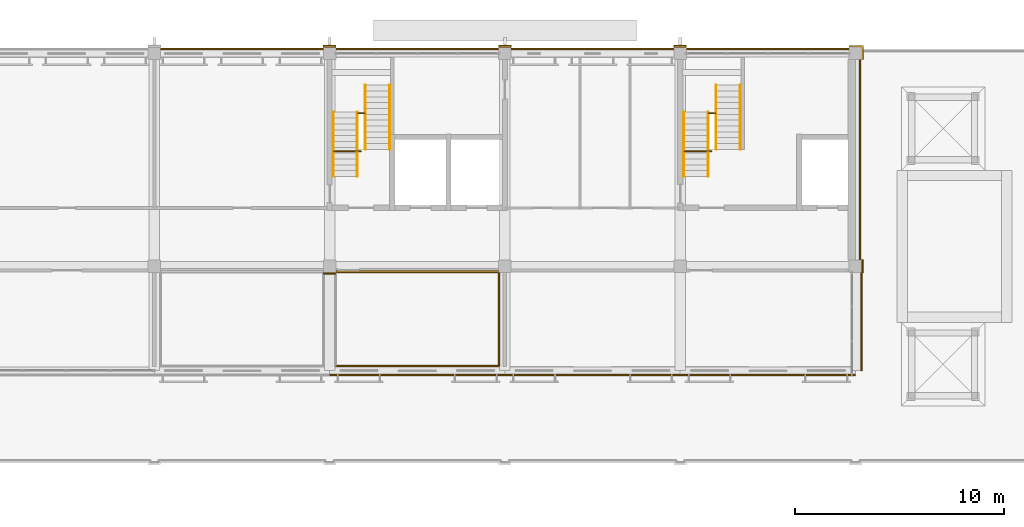
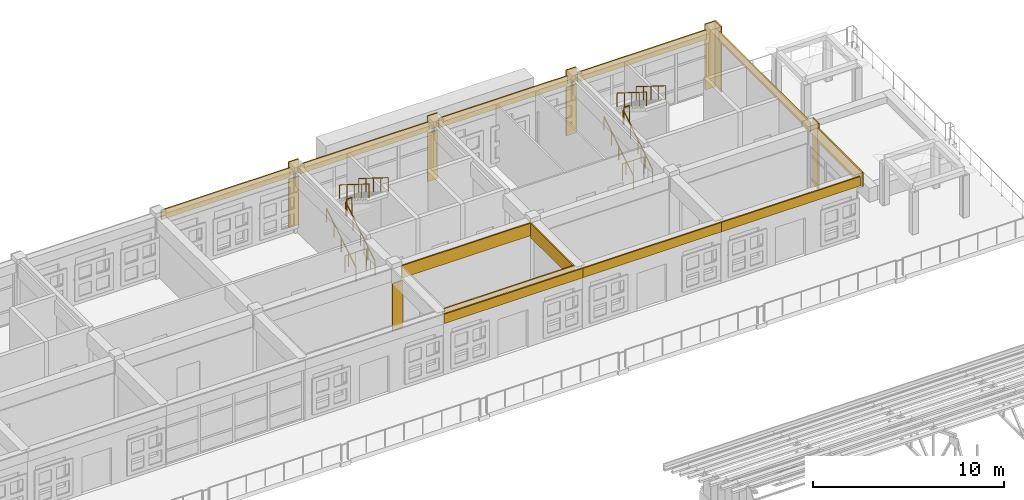
# One storey, part 69 of 71: 21 coverings, 12 railings.
"""IFC4 building model written with IfcOpenShell, lengths in metres."""

from ifc_helpers import new_model, si_unit, direction, frame, origin, origin_2d, place, context, subcontext, project, spatial, polyline, circle, outline, extrude, material, layer, layer_set, type_object, element, save


model = new_model("IFC4")

# Units and contexts
model_context = context("Model", 3, precision=1e-05, world=origin(), true_north=direction((0.0, 1.0)))
body_context = subcontext(model_context, "Body", "Model", "MODEL_VIEW")
ifc_project = project(units=[si_unit("LENGTHUNIT", "METRE"), si_unit("AREAUNIT", "SQUARE_METRE"), si_unit("VOLUMEUNIT", "CUBIC_METRE"), si_unit("PLANEANGLEUNIT", "RADIAN"), si_unit("MASSUNIT", "GRAM", prefix="KILO")], contexts=[model_context])

# Site, building, storey
site_placement = place(None, origin())
site = spatial("IfcSite", under=ifc_project, at=site_placement, CompositionType="ELEMENT")
building_placement = place(site_placement, origin())
building = spatial("IfcBuilding", under=site, at=building_placement, Name="Wasatch Bagh Community Centre", CompositionType="ELEMENT")
storey_placement = place(building_placement, frame((0.0, 0.0, 12.60009765625)))
storey = spatial("IfcBuildingStorey", under=building, at=storey_placement, Name="L03", CompositionType="ELEMENT", Elevation=12.60009765625)

# Coverings
ifc_material_1 = material(Name="Cast stone cladding", Category="masonry")
ifc_layer_1 = layer(ifc_material_1, 0.080078125)
ifc_layer_set_1 = layer_set([ifc_layer_1], Name="Cast stone cladding")
covering_type_1 = type_object("IfcCoveringType", Name="CL-B7 beam facing", PredefinedType="CLADDING", material=ifc_layer_set_1)
covering_1_placement = place(storey_placement, frame((0.0, 0.0, 3.119873046875)))
element("IfcCovering", 1, at=covering_1_placement, inside=storey, type_object=covering_type_1, Name="Beam facing", PredefinedType="CLADDING", context=body_context, shape_type="SweptSolid", body=[
    extrude(outline(polyline([(106.300048828125, 87.375), (114.10009765625, 87.375), (114.10009765625, 87.294921875), (106.300048828125, 87.294921875), (106.300048828125, 87.375)])), origin(), (0.0, 0.0, 1.0), 0.800048828125),
])
covering_2_placement = place(storey_placement, frame((0.0, 0.0, 3.31982421875)))
element("IfcCovering", 2, at=covering_2_placement, inside=storey, type_object=covering_type_1, Name="Beam facing", PredefinedType="CLADDING", context=body_context, shape_type="SweptSolid", body=[
    extrude(outline(polyline([(97.89990234375, 97.97509765625), (105.699951171875, 97.97509765625), (105.699951171875, 98.054931640625), (97.89990234375, 98.054931640625), (97.89990234375, 97.97509765625)])), origin(), (0.0, 0.0, 1.0), 0.60009765625),
])
covering_3_placement = place(storey_placement, frame((0.0, 0.0, 3.31982421875)))
element("IfcCovering", 3, at=covering_3_placement, inside=storey, type_object=covering_type_1, Name="Beam facing", PredefinedType="CLADDING", context=body_context, shape_type="SweptSolid", body=[
    extrude(outline(polyline([(106.300048828125, 97.97509765625), (114.10009765625, 97.97509765625), (114.10009765625, 98.054931640625), (106.300048828125, 98.054931640625), (106.300048828125, 97.97509765625)])), origin(), (0.0, 0.0, 1.0), 0.60009765625),
])
covering_4_placement = place(storey_placement, frame((0.0, 0.0, 3.31982421875)))
element("IfcCovering", 4, at=covering_4_placement, inside=storey, type_object=covering_type_1, Name="Beam facing", PredefinedType="CLADDING", context=body_context, shape_type="SweptSolid", body=[
    extrude(outline(polyline([(114.699951171875, 97.97509765625), (122.5, 97.97509765625), (122.5, 98.054931640625), (114.699951171875, 98.054931640625), (114.699951171875, 97.97509765625)])), origin(), (0.0, 0.0, 1.0), 0.60009765625),
])
covering_5_placement = place(storey_placement, frame((0.0, 0.0, 3.31982421875)))
element("IfcCovering", 5, at=covering_5_placement, inside=storey, type_object=covering_type_1, Name="Beam facing", PredefinedType="CLADDING", context=body_context, shape_type="SweptSolid", body=[
    extrude(outline(polyline([(123.10009765625, 97.97509765625), (130.89990234375, 97.97509765625), (130.89990234375, 98.054931640625), (123.10009765625, 98.054931640625), (123.10009765625, 97.97509765625)])), origin(), (0.0, 0.0, 1.0), 0.60009765625),
])
covering_6_placement = place(storey_placement, frame((0.0, 0.0, 3.31982421875)))
element("IfcCovering", 6, at=covering_6_placement, inside=storey, type_object=covering_type_1, Name="Beam facing", PredefinedType="CLADDING", context=body_context, shape_type="SweptSolid", body=[
    extrude(outline(polyline([(131.375, 87.89990234375), (131.375, 97.5), (131.455078125, 97.5), (131.455078125, 87.89990234375), (131.375, 87.89990234375)])), origin(), (0.0, 0.0, 1.0), 0.60009765625),
])
covering_7_placement = place(storey_placement, frame((0.0, 0.0, 3.02001953125)))
element("IfcCovering", 7, at=covering_7_placement, inside=storey, type_object=covering_type_1, Name="Beam facing", PredefinedType="CLADDING", context=body_context, shape_type="SweptSolid", body=[
    extrude(outline(polyline([(114.14990234375, 87.300048828125), (114.14990234375, 82.81005859375), (114.070068359375, 82.81005859375), (114.070068359375, 87.300048828125), (114.14990234375, 87.300048828125)])), origin(), (0.0, 0.0, 1.0), 0.89990234375),
])
covering_8_placement = place(storey_placement, frame((0.0, 0.0, 3.02001953125)))
element("IfcCovering", 8, at=covering_8_placement, inside=storey, type_object=covering_type_1, Name="Beam facing", PredefinedType="CLADDING", context=body_context, shape_type="SweptSolid", body=[
    extrude(outline(polyline([(131.449951171875, 87.300048828125), (131.449951171875, 82.60009765625), (131.530029296875, 82.60009765625), (131.530029296875, 87.300048828125), (131.449951171875, 87.300048828125)])), origin(), (0.0, 0.0, 1.0), 0.89990234375),
])
covering_9_placement = place(storey_placement, frame((0.0, 0.0, 3.31982421875)))
element("IfcCovering", 9, at=covering_9_placement, inside=storey, type_object=covering_type_1, Name="Beam facing", PredefinedType="CLADDING", context=body_context, shape_type="SweptSolid", body=[
    extrude(outline(polyline([(106.260009765625, 82.77490234375), (114.139892578125, 82.77490234375), (114.139892578125, 82.85498046875), (106.260009765625, 82.85498046875), (106.260009765625, 82.77490234375)])), origin(), (0.0, 0.0, 1.0), 0.60009765625),
])
covering_10_placement = place(storey_placement, frame((0.0, 0.0, 3.31982421875)))
element("IfcCovering", 10, at=covering_10_placement, inside=storey, type_object=covering_type_1, Name="Beam facing", PredefinedType="CLADDING", context=body_context, shape_type="SweptSolid", body=[
    extrude(outline(polyline([(106.0, 82.425048828125), (114.39990234375, 82.425048828125), (114.39990234375, 82.344970703125), (106.0, 82.344970703125), (106.0, 82.425048828125)])), origin(), (0.0, 0.0, 1.0), 0.60009765625),
])
covering_11_placement = place(storey_placement, frame((0.0, 0.0, 3.31982421875)))
element("IfcCovering", 11, at=covering_11_placement, inside=storey, type_object=covering_type_1, Name="Beam facing", PredefinedType="CLADDING", context=body_context, shape_type="SweptSolid", body=[
    extrude(outline(polyline([(114.39990234375, 82.425048828125), (122.800048828125, 82.425048828125), (122.800048828125, 82.344970703125), (114.39990234375, 82.344970703125), (114.39990234375, 82.425048828125)])), origin(), (0.0, 0.0, 1.0), 0.60009765625),
])
covering_12_placement = place(storey_placement, frame((0.0, 0.0, 3.31982421875)))
element("IfcCovering", 12, at=covering_12_placement, inside=storey, type_object=covering_type_1, Name="Beam facing", PredefinedType="CLADDING", context=body_context, shape_type="SweptSolid", body=[
    extrude(outline(polyline([(122.800048828125, 82.425048828125), (131.199951171875, 82.425048828125), (131.199951171875, 82.344970703125), (122.800048828125, 82.344970703125), (122.800048828125, 82.425048828125)])), origin(), (0.0, 0.0, 1.0), 0.60009765625),
])
ifc_layer_2 = layer(ifc_material_1, 0.080078125)
ifc_layer_set_2 = layer_set([ifc_layer_2], Name="Cast stone cladding")
covering_type_2 = type_object("IfcCoveringType", Name="CL-C1 column facing", PredefinedType="CLADDING", material=ifc_layer_set_2)
covering_13_placement = place(storey_placement, origin())
element("IfcCovering", 13, at=covering_13_placement, inside=storey, type_object=covering_type_2, Name="Column facing", PredefinedType="CLADDING", context=body_context, shape_type="SweptSolid", body=[
    extrude(outline(polyline([(105.699951171875, 87.300048828125), (106.300048828125, 87.300048828125), (106.300048828125, 87.219970703125), (105.699951171875, 87.219970703125), (105.699951171875, 87.300048828125)])), origin(), (0.0, 0.0, 1.0), 3.02001953125),
])
covering_14_placement = place(storey_placement, origin())
element("IfcCovering", 14, at=covering_14_placement, inside=storey, type_object=covering_type_2, Name="Column facing", PredefinedType="CLADDING", context=body_context, shape_type="SweptSolid", body=[
    extrude(outline(polyline([(131.5, 87.300048828125), (131.5, 87.89990234375), (131.580078125, 87.89990234375), (131.580078125, 87.300048828125), (131.5, 87.300048828125)])), origin(), (0.0, 0.0, 1.0), 4.199951171875),
])
covering_15_placement = place(storey_placement, origin())
element("IfcCovering", 15, at=covering_15_placement, inside=storey, type_object=covering_type_2, Name="Column facing", PredefinedType="CLADDING", context=body_context, shape_type="SweptSolid", body=[
    extrude(outline(polyline([(106.300048828125, 98.10009765625), (105.699951171875, 98.10009765625), (105.699951171875, 98.179931640625), (106.300048828125, 98.179931640625), (106.300048828125, 98.10009765625)])), origin(), (0.0, 0.0, 1.0), 3.099853515625),
])
covering_16_placement = place(storey_placement, frame((0.0, 0.0, 3.31982421875)))
element("IfcCovering", 16, at=covering_16_placement, inside=storey, type_object=covering_type_2, Name="Column facing", PredefinedType="CLADDING", context=body_context, shape_type="SweptSolid", body=[
    extrude(outline(polyline([(106.300048828125, 98.10009765625), (105.699951171875, 98.10009765625), (105.699951171875, 98.179931640625), (106.300048828125, 98.179931640625), (106.300048828125, 98.10009765625)])), origin(), (0.0, 0.0, 1.0), 0.880126953125),
])
covering_17_placement = place(storey_placement, origin())
element("IfcCovering", 17, at=covering_17_placement, inside=storey, type_object=covering_type_2, Name="Column facing", PredefinedType="CLADDING", context=body_context, shape_type="SweptSolid", body=[
    extrude(outline(polyline([(114.699951171875, 98.10009765625), (114.10009765625, 98.10009765625), (114.10009765625, 98.179931640625), (114.699951171875, 98.179931640625), (114.699951171875, 98.10009765625)])), origin(), (0.0, 0.0, 1.0), 3.099853515625),
])
covering_18_placement = place(storey_placement, frame((0.0, 0.0, 3.31982421875)))
element("IfcCovering", 18, at=covering_18_placement, inside=storey, type_object=covering_type_2, Name="Column facing", PredefinedType="CLADDING", context=body_context, shape_type="SweptSolid", body=[
    extrude(outline(polyline([(114.699951171875, 98.10009765625), (114.10009765625, 98.10009765625), (114.10009765625, 98.179931640625), (114.699951171875, 98.179931640625), (114.699951171875, 98.10009765625)])), origin(), (0.0, 0.0, 1.0), 0.880126953125),
])
covering_19_placement = place(storey_placement, origin())
element("IfcCovering", 19, at=covering_19_placement, inside=storey, type_object=covering_type_2, Name="Column facing", PredefinedType="CLADDING", context=body_context, shape_type="SweptSolid", body=[
    extrude(outline(polyline([(123.10009765625, 98.10009765625), (122.5, 98.10009765625), (122.5, 98.179931640625), (123.10009765625, 98.179931640625), (123.10009765625, 98.10009765625)])), origin(), (0.0, 0.0, 1.0), 3.099853515625),
])
covering_20_placement = place(storey_placement, frame((0.0, 0.0, 3.31982421875)))
element("IfcCovering", 20, at=covering_20_placement, inside=storey, type_object=covering_type_2, Name="Column facing", PredefinedType="CLADDING", context=body_context, shape_type="SweptSolid", body=[
    extrude(outline(polyline([(123.10009765625, 98.10009765625), (122.5, 98.10009765625), (122.5, 98.179931640625), (123.10009765625, 98.179931640625), (123.10009765625, 98.10009765625)])), origin(), (0.0, 0.0, 1.0), 0.880126953125),
])
covering_21_placement = place(storey_placement, origin())
element("IfcCovering", 21, at=covering_21_placement, inside=storey, type_object=covering_type_2, Name="Column facing", PredefinedType="CLADDING", context=body_context, shape_type="SweptSolid", body=[
    extrude(outline(polyline([(131.5, 98.10009765625), (130.89990234375, 98.10009765625), (130.89990234375, 98.179931640625), (131.580078125, 98.179931640625), (131.580078125, 97.5), (131.5, 97.5), (131.5, 98.10009765625)])), origin(), (0.0, 0.0, 1.0), 4.199951171875),
])

# Railings
ifc_material_2 = material(Name="Painted steel with jali infill", Category="steel")
railing_type_1 = type_object("IfcRailingType", Name="LW guard 1100", PredefinedType="GUARDRAIL", material=ifc_material_2)
railing_1_placement = place(storey_placement, frame((106.199951171875, 93.10009765625, 0.0)))
element("IfcRailing", 22, at=railing_1_placement, inside=storey, type_object=railing_type_1, Name="Guard C2", PredefinedType="GUARDRAIL", context=body_context, shape_type="SweptSolid", body=[
    extrude(circle(Radius=0.02490234375, at=origin_2d()), frame((0.0, 0.0, 1.0751953125), z_axis=(1.0, 0.0, 0.0), x_axis=(0.0, 1.0, 0.0)), (0.0, 0.0, 1.0), 1.300048828125),
    extrude(circle(Radius=0.02001953125, at=origin_2d()), origin(), (0.0, 0.0, 1.0), 1.050048828125),
    extrude(circle(Radius=0.02001953125, at=origin_2d()), frame((0.64990234375, 0.0, 0.0)), (0.0, 0.0, 1.0), 1.050048828125),
    extrude(circle(Radius=0.02001953125, at=origin_2d()), frame((1.300048828125, 0.0, 0.0)), (0.0, 0.0, 1.0), 1.050048828125),
])
railing_2_placement = place(storey_placement, frame((107.360107421875, 94.929931640625, 2.099853515625)))
element("IfcRailing", 23, at=railing_2_placement, inside=storey, type_object=railing_type_1, Name="Guard C2", PredefinedType="GUARDRAIL", context=body_context, shape_type="SweptSolid", body=[
    extrude(circle(Radius=0.02490234375, at=origin_2d()), frame((0.0, 0.0, 1.0751953125), z_axis=(1.0, 0.0, 0.0), x_axis=(0.0, 1.0, 0.0)), (0.0, 0.0, 1.0), 0.329833984375),
    extrude(circle(Radius=0.02001953125, at=origin_2d()), origin(), (0.0, 0.0, 1.0), 1.050048828125),
    extrude(circle(Radius=0.02001953125, at=origin_2d()), frame((0.329833984375, 0.0, 0.0)), (0.0, 0.0, 1.0), 1.050048828125),
])
railing_3_placement = place(storey_placement, frame((123.0, 93.10009765625, 0.0)))
element("IfcRailing", 24, at=railing_3_placement, inside=storey, type_object=railing_type_1, Name="Guard C3", PredefinedType="GUARDRAIL", context=body_context, shape_type="SweptSolid", body=[
    extrude(circle(Radius=0.02490234375, at=origin_2d()), frame((0.0, 0.0, 1.0751953125), z_axis=(1.0, 0.0, 0.0), x_axis=(0.0, 1.0, 0.0)), (0.0, 0.0, 1.0), 1.300048828125),
    extrude(circle(Radius=0.02001953125, at=origin_2d()), origin(), (0.0, 0.0, 1.0), 1.050048828125),
    extrude(circle(Radius=0.02001953125, at=origin_2d()), frame((0.64990234375, 0.0, 0.0)), (0.0, 0.0, 1.0), 1.050048828125),
    extrude(circle(Radius=0.02001953125, at=origin_2d()), frame((1.300048828125, 0.0, 0.0)), (0.0, 0.0, 1.0), 1.050048828125),
])
railing_4_placement = place(storey_placement, frame((124.159912109375, 94.929931640625, 2.099853515625)))
element("IfcRailing", 25, at=railing_4_placement, inside=storey, type_object=railing_type_1, Name="Guard C3", PredefinedType="GUARDRAIL", context=body_context, shape_type="SweptSolid", body=[
    extrude(circle(Radius=0.02490234375, at=origin_2d()), frame((0.0, 0.0, 1.0751953125), z_axis=(1.0, 0.0, 0.0), x_axis=(0.0, 1.0, 0.0)), (0.0, 0.0, 1.0), 0.330078125),
    extrude(circle(Radius=0.02001953125, at=origin_2d()), origin(), (0.0, 0.0, 1.0), 1.050048828125),
    extrude(circle(Radius=0.02001953125, at=origin_2d()), frame((0.330078125, 0.0, 0.0)), (0.0, 0.0, 1.0), 1.050048828125),
])
ifc_material_3 = material(Name="Painted steel tube", Category="steel")
railing_type_2 = type_object("IfcRailingType", Name="LW stair handrail 900", PredefinedType="HANDRAIL", material=ifc_material_3)
for number, where, name in (
    (26, (106.175048828125, 91.89990234375, 0.1748046875), "Handrail C2"),
    (27, (107.3349609375, 91.89990234375, 0.1748046875), "Handrail C2"),
):
    element("IfcRailing", number, at=place(storey_placement, frame(where)), inside=storey, type_object=railing_type_2, Name=name, PredefinedType="HANDRAIL", context=body_context, shape_type="SweptSolid", body=[
        extrude(circle(Radius=0.0224609375, at=origin_2d()), frame((0.0, 0.0, 0.87744140625), z_axis=(0.0, 0.847998304005, 0.529998940003), x_axis=(-1.0, 0.0, 0.0)), (0.0, 0.0, 1.0), 3.632080078125),
        extrude(circle(Radius=0.02001953125, at=origin_2d()), origin(), (0.0, 0.0, 1.0), 0.85498046875),
        extrude(circle(Radius=0.02001953125, at=origin_2d()), frame((0.0, 0.77001953125, 0.481201171875)), (0.0, 0.0, 1.0), 0.85498046875),
        extrude(circle(Radius=0.02001953125, at=origin_2d()), frame((0.0, 1.5400390625, 0.96240234375)), (0.0, 0.0, 1.0), 0.85498046875),
        extrude(circle(Radius=0.02001953125, at=origin_2d()), frame((0.0, 2.31005859375, 1.44384765625)), (0.0, 0.0, 1.0), 0.85498046875),
        extrude(circle(Radius=0.02001953125, at=origin_2d()), frame((0.0, 3.080078125, 1.925048828125)), (0.0, 0.0, 1.0), 0.85498046875),
    ])
for number, where, name in (
    (28, (107.715087890625, 96.280029296875, 2.27490234375), "Handrail C2"),
    (29, (108.875, 96.280029296875, 2.27490234375), "Handrail C2"),
):
    element("IfcRailing", number, at=place(storey_placement, frame(where)), inside=storey, type_object=railing_type_2, Name=name, PredefinedType="HANDRAIL", context=body_context, shape_type="SweptSolid", body=[
        extrude(circle(Radius=0.0224609375, at=origin_2d()), frame((0.0, 0.0, 0.87744140625), z_axis=(0.0, -0.847998304005, 0.529998940003), x_axis=(1.0, 0.0, 0.0)), (0.0, 0.0, 1.0), 3.632080078125),
        extrude(circle(Radius=0.02001953125, at=origin_2d()), origin(), (0.0, 0.0, 1.0), 0.85498046875),
        extrude(circle(Radius=0.02001953125, at=origin_2d()), frame((0.0, -0.77001953125, 0.481201171875)), (0.0, 0.0, 1.0), 0.85498046875),
        extrude(circle(Radius=0.02001953125, at=origin_2d()), frame((0.0, -1.5400390625, 0.96240234375)), (0.0, 0.0, 1.0), 0.85498046875),
        extrude(circle(Radius=0.02001953125, at=origin_2d()), frame((0.0, -2.31005859375, 1.44384765625)), (0.0, 0.0, 1.0), 0.85498046875),
        extrude(circle(Radius=0.02001953125, at=origin_2d()), frame((0.0, -3.080078125, 1.925048828125)), (0.0, 0.0, 1.0), 0.85498046875),
    ])
for number, where, name in (
    (30, (122.97509765625, 91.89990234375, 0.1748046875), "Handrail C3"),
    (31, (124.135009765625, 91.89990234375, 0.1748046875), "Handrail C3"),
):
    element("IfcRailing", number, at=place(storey_placement, frame(where)), inside=storey, type_object=railing_type_2, Name=name, PredefinedType="HANDRAIL", context=body_context, shape_type="SweptSolid", body=[
        extrude(circle(Radius=0.0224609375, at=origin_2d()), frame((0.0, 0.0, 0.87744140625), z_axis=(0.0, 0.847998304005, 0.529998940003), x_axis=(-1.0, 0.0, 0.0)), (0.0, 0.0, 1.0), 3.632080078125),
        extrude(circle(Radius=0.02001953125, at=origin_2d()), origin(), (0.0, 0.0, 1.0), 0.85498046875),
        extrude(circle(Radius=0.02001953125, at=origin_2d()), frame((0.0, 0.77001953125, 0.481201171875)), (0.0, 0.0, 1.0), 0.85498046875),
        extrude(circle(Radius=0.02001953125, at=origin_2d()), frame((0.0, 1.5400390625, 0.96240234375)), (0.0, 0.0, 1.0), 0.85498046875),
        extrude(circle(Radius=0.02001953125, at=origin_2d()), frame((0.0, 2.31005859375, 1.44384765625)), (0.0, 0.0, 1.0), 0.85498046875),
        extrude(circle(Radius=0.02001953125, at=origin_2d()), frame((0.0, 3.080078125, 1.925048828125)), (0.0, 0.0, 1.0), 0.85498046875),
    ])
for number, where, name in (
    (32, (124.514892578125, 96.280029296875, 2.27490234375), "Handrail C3"),
    (33, (125.675048828125, 96.280029296875, 2.27490234375), "Handrail C3"),
):
    element("IfcRailing", number, at=place(storey_placement, frame(where)), inside=storey, type_object=railing_type_2, Name=name, PredefinedType="HANDRAIL", context=body_context, shape_type="SweptSolid", body=[
        extrude(circle(Radius=0.0224609375, at=origin_2d()), frame((0.0, 0.0, 0.87744140625), z_axis=(0.0, -0.847998304005, 0.529998940003), x_axis=(1.0, 0.0, 0.0)), (0.0, 0.0, 1.0), 3.632080078125),
        extrude(circle(Radius=0.02001953125, at=origin_2d()), origin(), (0.0, 0.0, 1.0), 0.85498046875),
        extrude(circle(Radius=0.02001953125, at=origin_2d()), frame((0.0, -0.77001953125, 0.481201171875)), (0.0, 0.0, 1.0), 0.85498046875),
        extrude(circle(Radius=0.02001953125, at=origin_2d()), frame((0.0, -1.5400390625, 0.96240234375)), (0.0, 0.0, 1.0), 0.85498046875),
        extrude(circle(Radius=0.02001953125, at=origin_2d()), frame((0.0, -2.31005859375, 1.44384765625)), (0.0, 0.0, 1.0), 0.85498046875),
        extrude(circle(Radius=0.02001953125, at=origin_2d()), frame((0.0, -3.080078125, 1.925048828125)), (0.0, 0.0, 1.0), 0.85498046875),
    ])

save(model, "model.ifc")
